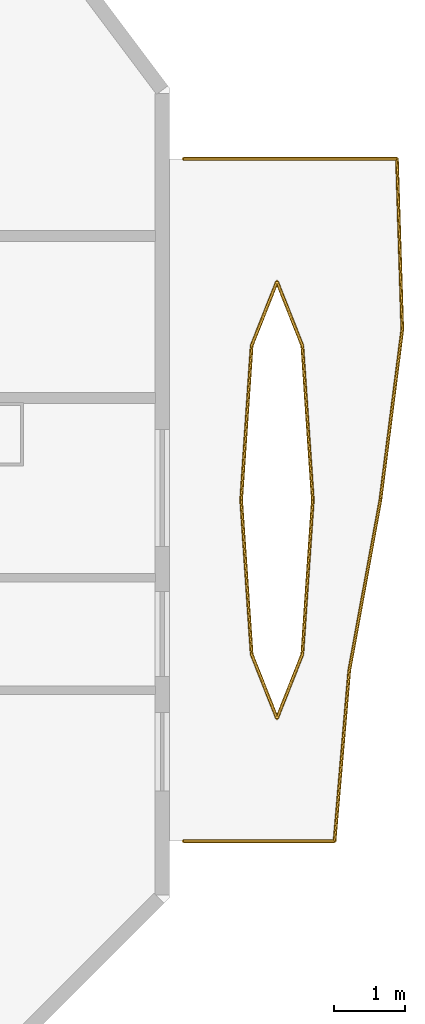
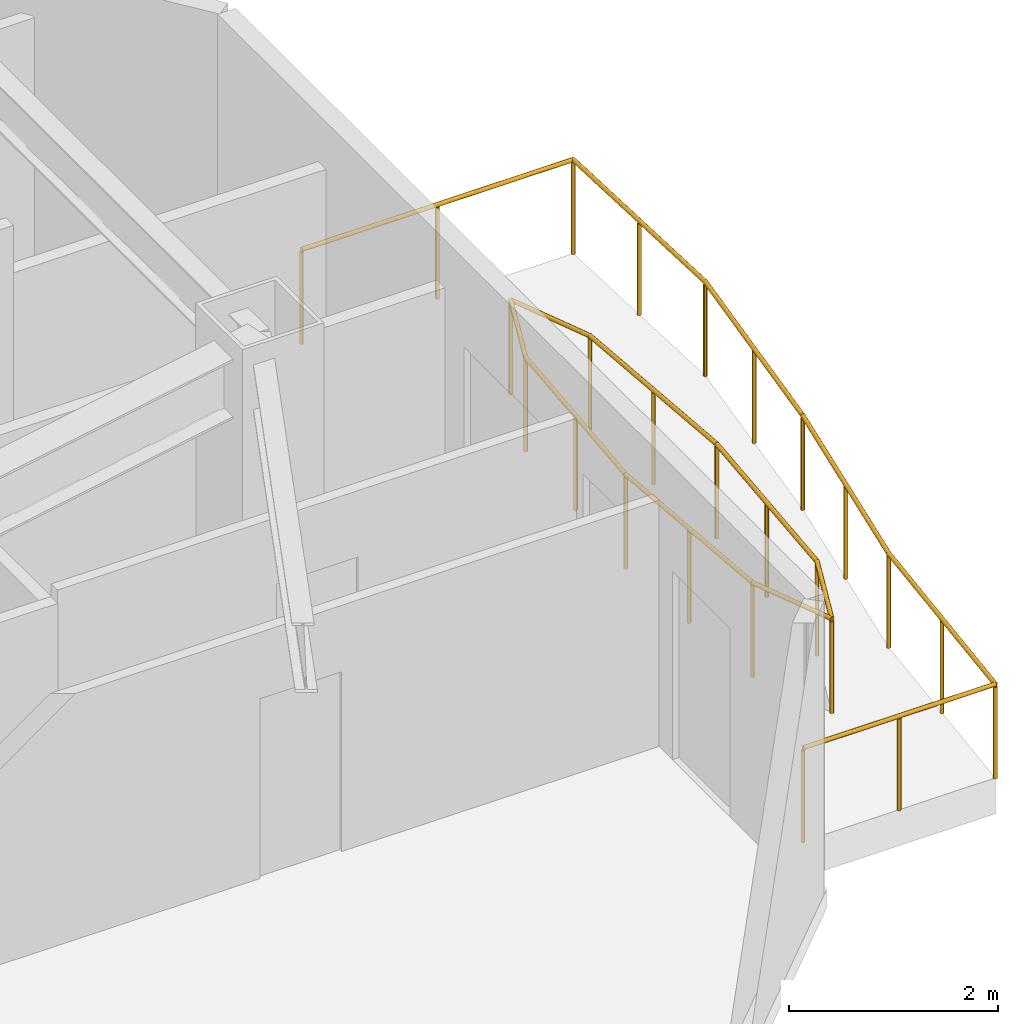
# One storey, part 16 of 16: 4 railings.
"""IFC4 building model written with IfcOpenShell, lengths in metres."""

import ifcopenshell
import ifcopenshell.guid

model = None  # the IFC model being written
_history = None  # IfcOwnerHistory: only IFC2X3 demands one
_inside = {}  # id of a spatial element -> (the spatial element, [elements in it])
_under = {}  # id of a project, library or spatial element -> (it, [spatial elements below it])
_declared = {}  # id of a project -> (the project, [libraries it declares])
_typed = {}  # id of a type object -> (the type object, [elements of that type])
_made_of = {}  # id of a material, layer set ... -> (it, [elements and type objects made of it])


def new_model(schema):
    """Start an empty IFC model of exactly this schema.

    Asked for "IFC4X3", IfcOpenShell would pick the latest addendum, in which some entities
    have other attributes; the version numbers below select the first issue.
    IFC2X3 requires an IfcOwnerHistory on every rooted entity: one is made here for all.
    """
    global model, _history
    if schema == "IFC4X3":
        model = ifcopenshell.file(schema_version=(4, 3, 0, 0))
    else:
        model = ifcopenshell.file(schema=schema)
    _inside.clear()
    _under.clear()
    _declared.clear()
    _typed.clear()
    _made_of.clear()
    _history = None
    if model.schema == "IFC2X3":
        org = make("IfcOrganization", Name="unknown")
        user = make(
            "IfcPersonAndOrganization",
            ThePerson=make("IfcPerson", FamilyName="unknown"),
            TheOrganization=org,
        )
        app = make(
            "IfcApplication",
            ApplicationDeveloper=org,
            Version="unknown",
            ApplicationFullName="unknown",
            ApplicationIdentifier="unknown",
        )
        _history = make(
            "IfcOwnerHistory",
            OwningUser=user,
            OwningApplication=app,
            ChangeAction="ADDED",
            CreationDate=0,
        )
    return model


def make(cls, **values):
    """One entity of the class cls with the attributes given. An attribute that is None is left unset."""
    return model.create_entity(
        cls, **{name: value for name, value in values.items() if value is not None}
    )


def rooted(cls, **values):
    """An entity with a GlobalId (a new one), such as an element, a storey or a relation."""
    return make(cls, GlobalId=ifcopenshell.guid.new(), OwnerHistory=_history, **values)


def si_unit(unit_type, name, prefix=None):
    """IfcSIUnit, for example si_unit("LENGTHUNIT", "METRE", prefix="MILLI")."""
    return make("IfcSIUnit", UnitType=unit_type, Prefix=prefix, Name=name)


def assignment(units):
    """IfcUnitAssignment: the units of a project."""
    return None if units is None else make("IfcUnitAssignment", Units=units)


def point(xyz):
    """IfcCartesianPoint."""
    return None if xyz is None else make("IfcCartesianPoint", Coordinates=xyz)


def direction(xyz):
    """IfcDirection."""
    return None if xyz is None else make("IfcDirection", DirectionRatios=xyz)


def frame(location, z_axis=None, x_axis=None):
    """IfcAxis2Placement3D, a coordinate frame: its origin and axes. An axis left out is left unset."""
    return make(
        "IfcAxis2Placement3D",
        Location=point(location),
        Axis=direction(z_axis),
        RefDirection=direction(x_axis),
    )


def frame_2d(location, x_axis=None):
    """IfcAxis2Placement2D, a coordinate frame in the plane: its origin and x axis."""
    return make(
        "IfcAxis2Placement2D", Location=point(location), RefDirection=direction(x_axis)
    )


def origin():
    """The frame at (0, 0, 0) with its axes left unset."""
    return frame((0.0, 0.0, 0.0))


def origin_2d():
    """The frame at (0, 0) in the plane with its x axis left unset."""
    return frame_2d((0.0, 0.0))


def place(relative_to, where):
    """IfcLocalPlacement: puts the frame where relative to a parent placement (None: the world)."""
    return make(
        "IfcLocalPlacement", PlacementRelTo=relative_to, RelativePlacement=where
    )


def context(
    kind, dimensions, precision=None, world=None, true_north=None, identifier=None
):
    """IfcGeometricRepresentationContext, for example the 3D "Model" context."""
    return make(
        "IfcGeometricRepresentationContext",
        ContextIdentifier=identifier,
        ContextType=kind,
        CoordinateSpaceDimension=dimensions,
        Precision=precision,
        WorldCoordinateSystem=world,
        TrueNorth=true_north,
    )


def subcontext(parent, identifier, kind, view, scale=None):
    """IfcGeometricRepresentationSubContext, for example "Body" below "Model"."""
    return make(
        "IfcGeometricRepresentationSubContext",
        ContextIdentifier=identifier,
        ContextType=kind,
        ParentContext=parent,
        TargetScale=scale,
        TargetView=view,
    )


def project(units=None, contexts=None):
    """IfcProject with its units and contexts."""
    return rooted(
        "IfcProject",
        Name="project",
        RepresentationContexts=contexts,
        UnitsInContext=assignment(units),
    )


def spatial(cls, under=None, at=None, **own):
    """A site, building, storey or space (cls), placed at a placement, below another one or the project."""
    s = rooted(cls, ObjectPlacement=at, **own)
    if under is not None:
        _under.setdefault(under.id(), (under, []))[1].append(s)
    return s


def profile(cls, at=None, kind="AREA", **sizes):
    """A parametric profile (cls). Its sizes go by their IFC names, for example OverallWidth=200.0."""
    return make(cls, ProfileType=kind, Position=at, **sizes)


def circle(**sizes):
    """IfcCircleProfileDef."""
    return profile("IfcCircleProfileDef", **sizes)


def extrude(swept, where, along, depth):
    """IfcExtrudedAreaSolid: the profile swept, set in the frame where, extruded along a direction by depth."""
    return make(
        "IfcExtrudedAreaSolid",
        SweptArea=swept,
        Position=where,
        ExtrudedDirection=direction(along),
        Depth=depth,
    )


def shape(context_of_items, identifier, shape_type, items):
    """IfcShapeRepresentation: the items that make up one representation, for example the "Body"."""
    return make(
        "IfcShapeRepresentation",
        ContextOfItems=context_of_items,
        RepresentationIdentifier=identifier,
        RepresentationType=shape_type,
        Items=items,
    )


def material(Name=None, Category=None):
    """IfcMaterial."""
    return make("IfcMaterial", Name=Name, Category=Category)


def made_of(thing, what):
    """Note that an element or type object is made of a material, layer set ...; save() writes the relation."""
    if what is not None:
        _made_of.setdefault(what.id(), (what, []))[1].append(thing)
    return thing


def type_object(cls, material=None, **own):
    """A type object (cls), such as IfcWallType, which elements share."""
    return made_of(rooted(cls, **own), material)


def element(
    cls,
    number,
    at=None,
    inside=None,
    cuts=None,
    type_object=None,
    material=None,
    context=None,
    identifier="Body",
    shape_type=None,
    held_by="IfcProductDefinitionShape",
    body=None,
    shapes=None,
    **own,
):
    """One element of the class cls, such as IfcWall. Its Tag is "e" and its number.

    at: its placement. inside: the storey or other place that contains it. cuts: it is an
    opening in that element (IfcRelVoidsElement). A single representation is given by context,
    identifier, shape_type and body (its items); several are given by shapes. held_by: the class
    of the entity that holds the representations. save() writes the other relations.
    """
    e = rooted(cls, Tag="e%d" % number, ObjectPlacement=at, **own)
    if body is not None:
        shapes = [shape(context, identifier, shape_type, body)]
    if shapes is not None:
        e.Representation = make(held_by, Representations=shapes)
    if inside is not None:
        _inside.setdefault(inside.id(), (inside, []))[1].append(e)
    if cuts is not None:
        rooted(
            "IfcRelVoidsElement", RelatingBuildingElement=cuts, RelatedOpeningElement=e
        )
    if type_object is not None:
        _typed.setdefault(type_object.id(), (type_object, []))[1].append(e)
    return made_of(e, material)


def aggregate(whole, parts):
    """IfcRelAggregates: a whole, such as a stair, and the parts it consists of."""
    return rooted("IfcRelAggregates", RelatingObject=whole, RelatedObjects=parts)


def save(model, path):
    """Write the relations noted so far, then the file.

    IfcRelAggregates (storeys below a building ...), IfcRelContainedInSpatialStructure (elements
    in a storey), IfcRelDefinesByType, IfcRelAssociatesMaterial and IfcRelDeclares: one each for
    every whole, place, type object, material and project.
    """
    for whole, parts in _under.values():
        aggregate(whole, parts)
    for where, things in _inside.values():
        rooted(
            "IfcRelContainedInSpatialStructure",
            RelatedElements=things,
            RelatingStructure=where,
        )
    for kind, things in _typed.values():
        rooted("IfcRelDefinesByType", RelatedObjects=things, RelatingType=kind)
    for what, things in _made_of.values():
        rooted("IfcRelAssociatesMaterial", RelatedObjects=things, RelatingMaterial=what)
    for by, libraries in _declared.values():
        rooted("IfcRelDeclares", RelatingContext=by, RelatedDefinitions=libraries)
    model.write(path)


model = new_model("IFC4")

# Units and contexts
model_context = context("Model", 3, precision=1e-05, world=origin(), true_north=direction((0.0, 1.0)))
body_context = subcontext(model_context, "Body", "Model", "MODEL_VIEW")
ifc_project = project(units=[si_unit("LENGTHUNIT", "METRE"), si_unit("AREAUNIT", "SQUARE_METRE"), si_unit("VOLUMEUNIT", "CUBIC_METRE"), si_unit("PLANEANGLEUNIT", "RADIAN"), si_unit("MASSUNIT", "GRAM", prefix="KILO")], contexts=[model_context])

# Site, building, storey
site_placement = place(None, origin())
site = spatial("IfcSite", under=ifc_project, at=site_placement, CompositionType="ELEMENT")
building_placement = place(site_placement, origin())
building = spatial("IfcBuilding", under=site, at=building_placement, Name="Khamvora Tower", CompositionType="ELEMENT")
storey_placement = place(building_placement, frame((0.0, 0.0, 170.5)))
storey = spatial("IfcBuildingStorey", under=building, at=storey_placement, Name="L43", CompositionType="ELEMENT", Elevation=170.5)

# Railings
ifc_material = material(Name="Stainless Steel 316 and Laminated Glass", Category="steel")
railing_type = type_object("IfcRailingType", Name="RAL-GAL-1120", PredefinedType="GUARDRAIL", material=ifc_material)
railing_1_placement = place(storey_placement, frame((63.39990234375, 14.199951171875, 0.0)))
element("IfcRailing", 1, at=railing_1_placement, inside=storey, type_object=railing_type, Name="L43 lens gallery south perimeter guardrail EL1", PredefinedType="GUARDRAIL", context=body_context, shape_type="SweptSolid", body=[
    extrude(circle(Radius=0.02392578125, at=origin_2d()), frame((0.0, 0.0, 1.09619140625), z_axis=(1.0, 0.0, 0.0), x_axis=(0.0, 1.0, 0.0)), (0.0, 0.0, 1.0), 2.125),
    extrude(circle(Radius=0.02392578125, at=origin_2d()), frame((2.125, 0.0, 1.09619140625), z_axis=(0.085938639618, 0.996300431707, 0.0), x_axis=(-0.996300431707, 0.085938639618, 0.0)), (0.0, 0.0, 1.0), 2.4091796875),
    extrude(circle(Radius=0.02392578125, at=origin_2d()), frame((2.33203125, 2.400146484375, 1.09619140625), z_axis=(0.179537096601, 0.983751203783, 0.0), x_axis=(-0.983751203783, 0.179537096601, 0.0)), (0.0, 0.0, 1.0), 2.439453125),
    extrude(circle(Radius=0.02099609375, at=origin_2d()), origin(), (0.0, 0.0, 1.0), 1.072021484375),
    extrude(circle(Radius=0.02099609375, at=origin_2d()), frame((1.0625, 0.0, 0.0)), (0.0, 0.0, 1.0), 1.072021484375),
    extrude(circle(Radius=0.02099609375, at=origin_2d()), frame((2.125, 0.0, 0.0)), (0.0, 0.0, 1.0), 1.072021484375),
    extrude(circle(Radius=0.02099609375, at=origin_2d()), frame((2.228515625, 1.2001953125, 0.0)), (0.0, 0.0, 1.0), 1.072021484375),
    extrude(circle(Radius=0.02099609375, at=origin_2d()), frame((2.33203125, 2.400146484375, 0.0)), (0.0, 0.0, 1.0), 1.072021484375),
    extrude(circle(Radius=0.02099609375, at=origin_2d()), frame((2.551025390625, 3.60009765625, 0.0)), (0.0, 0.0, 1.0), 1.072021484375),
    extrude(circle(Radius=0.02099609375, at=origin_2d()), frame((2.77001953125, 4.800048828125, 0.0)), (0.0, 0.0, 1.0), 1.072021484375),
])
railing_2_placement = place(storey_placement, frame((66.169921875, 19.0, 0.0)))
element("IfcRailing", 2, at=railing_2_placement, inside=storey, type_object=railing_type, Name="L43 lens gallery north perimeter guardrail EL1", PredefinedType="GUARDRAIL", context=body_context, shape_type="SweptSolid", body=[
    extrude(circle(Radius=0.02392578125, at=origin_2d()), frame((0.0, 0.0, 1.09619140625), z_axis=(0.127337399535, 0.991859459137, 0.0), x_axis=(-0.991859459137, 0.127337399535, 0.0)), (0.0, 0.0, 1.0), 2.419677734375),
    extrude(circle(Radius=0.02392578125, at=origin_2d()), frame((0.30810546875, 2.39990234375, 1.09619140625), z_axis=(-0.031212533867, 0.999512770168, 0.0), x_axis=(-0.999512770168, -0.031212533867, 0.0)), (0.0, 0.0, 1.0), 2.4013671875),
    extrude(circle(Radius=0.02392578125, at=origin_2d()), frame((0.233154296875, 4.800048828125, 1.09619140625), z_axis=(-1.0, 0.0, 0.0), x_axis=(0.0, -1.0, 0.0)), (0.0, 0.0, 1.0), 3.003173828125),
    extrude(circle(Radius=0.02099609375, at=origin_2d()), origin(), (0.0, 0.0, 1.0), 1.072021484375),
    extrude(circle(Radius=0.02099609375, at=origin_2d()), frame((0.154052734375, 1.199951171875, 0.0)), (0.0, 0.0, 1.0), 1.072021484375),
    extrude(circle(Radius=0.02099609375, at=origin_2d()), frame((0.30810546875, 2.39990234375, 0.0)), (0.0, 0.0, 1.0), 1.072021484375),
    extrude(circle(Radius=0.02099609375, at=origin_2d()), frame((0.2705078125, 3.60009765625, 0.0)), (0.0, 0.0, 1.0), 1.072021484375),
    extrude(circle(Radius=0.02099609375, at=origin_2d()), frame((0.233154296875, 4.800048828125, 0.0)), (0.0, 0.0, 1.0), 1.072021484375),
    extrude(circle(Radius=0.02099609375, at=origin_2d()), frame((-1.2685546875, 4.800048828125, 0.0)), (0.0, 0.0, 1.0), 1.072021484375),
    extrude(circle(Radius=0.02099609375, at=origin_2d()), frame((-2.77001953125, 4.800048828125, 0.0)), (0.0, 0.0, 1.0), 1.072021484375),
])
railing_3_placement = place(storey_placement, frame((65.218994140625, 19.0, 0.0)))
element("IfcRailing", 3, at=railing_3_placement, inside=storey, type_object=railing_type, Name="L43 lens gallery void guardrail EL1A", PredefinedType="GUARDRAIL", context=body_context, shape_type="SweptSolid", body=[
    extrude(circle(Radius=0.02392578125, at=origin_2d()), frame((0.0, 0.0, 1.09619140625), z_axis=(-0.067955394668, 0.997688360329, 0.0), x_axis=(-0.997688360329, -0.067955394668, 0.0)), (0.0, 0.0, 1.0), 2.17724609375),
    extrude(circle(Radius=0.02392578125, at=origin_2d()), frame((-0.14794921875, 2.172119140625, 1.09619140625), z_axis=(-0.367821247872, 0.92989651554, 0.0), x_axis=(-0.92989651554, -0.367821247872, 0.0)), (0.0, 0.0, 1.0), 0.9677734375),
    extrude(circle(Radius=0.02392578125, at=origin_2d()), frame((-0.50390625, 3.072021484375, 1.09619140625), z_axis=(-0.368039364147, -0.929810209902, 0.0), x_axis=(0.929810209902, -0.368039364147, 0.0)), (0.0, 0.0, 1.0), 0.9677734375),
    extrude(circle(Radius=0.02392578125, at=origin_2d()), frame((-0.860107421875, 2.172119140625, 1.09619140625), z_axis=(-0.067955394668, -0.997688360329, 0.0), x_axis=(0.997688360329, -0.067955394668, 0.0)), (0.0, 0.0, 1.0), 2.17724609375),
    extrude(circle(Radius=0.02099609375, at=origin_2d()), origin(), (0.0, 0.0, 1.0), 1.072021484375),
    extrude(circle(Radius=0.02099609375, at=origin_2d()), frame((-0.073974609375, 1.0859375, 0.0)), (0.0, 0.0, 1.0), 1.072021484375),
    extrude(circle(Radius=0.02099609375, at=origin_2d()), frame((-0.14794921875, 2.172119140625, 0.0)), (0.0, 0.0, 1.0), 1.072021484375),
    extrude(circle(Radius=0.02099609375, at=origin_2d()), frame((-0.50390625, 3.072021484375, 0.0)), (0.0, 0.0, 1.0), 1.072021484375),
    extrude(circle(Radius=0.02099609375, at=origin_2d()), frame((-0.860107421875, 2.172119140625, 0.0)), (0.0, 0.0, 1.0), 1.072021484375),
    extrude(circle(Radius=0.02099609375, at=origin_2d()), frame((-0.93408203125, 1.0859375, 0.0)), (0.0, 0.0, 1.0), 1.072021484375),
    extrude(circle(Radius=0.02099609375, at=origin_2d()), frame((-1.008056640625, 0.0, 0.0)), (0.0, 0.0, 1.0), 1.072021484375),
])
railing_4_placement = place(storey_placement, frame((64.2109375, 19.0, 0.0)))
element("IfcRailing", 4, at=railing_4_placement, inside=storey, type_object=railing_type, Name="L43 lens gallery void guardrail EL1B", PredefinedType="GUARDRAIL", context=body_context, shape_type="SweptSolid", body=[
    extrude(circle(Radius=0.02392578125, at=origin_2d()), frame((0.0, 0.0, 1.09619140625), z_axis=(0.067955394668, -0.997688360329, 0.0), x_axis=(0.997688360329, 0.067955394668, 0.0)), (0.0, 0.0, 1.0), 2.17724609375),
    extrude(circle(Radius=0.02392578125, at=origin_2d()), frame((0.14794921875, -2.172119140625, 1.09619140625), z_axis=(0.368039364147, -0.929810209902, 0.0), x_axis=(0.929810209902, 0.368039364147, 0.0)), (0.0, 0.0, 1.0), 0.9677734375),
    extrude(circle(Radius=0.02392578125, at=origin_2d()), frame((0.504150390625, -3.072021484375, 1.09619140625), z_axis=(0.367821247872, 0.92989651554, 0.0), x_axis=(-0.92989651554, 0.367821247872, 0.0)), (0.0, 0.0, 1.0), 0.9677734375),
    extrude(circle(Radius=0.02392578125, at=origin_2d()), frame((0.860107421875, -2.172119140625, 1.09619140625), z_axis=(0.067955394668, 0.997688360329, 0.0), x_axis=(-0.997688360329, 0.067955394668, 0.0)), (0.0, 0.0, 1.0), 2.17724609375),
    extrude(circle(Radius=0.02099609375, at=origin_2d()), origin(), (0.0, 0.0, 1.0), 1.072021484375),
    extrude(circle(Radius=0.02099609375, at=origin_2d()), frame((0.073974609375, -1.0859375, 0.0)), (0.0, 0.0, 1.0), 1.072021484375),
    extrude(circle(Radius=0.02099609375, at=origin_2d()), frame((0.14794921875, -2.172119140625, 0.0)), (0.0, 0.0, 1.0), 1.072021484375),
    extrude(circle(Radius=0.02099609375, at=origin_2d()), frame((0.504150390625, -3.072021484375, 0.0)), (0.0, 0.0, 1.0), 1.072021484375),
    extrude(circle(Radius=0.02099609375, at=origin_2d()), frame((0.860107421875, -2.172119140625, 0.0)), (0.0, 0.0, 1.0), 1.072021484375),
    extrude(circle(Radius=0.02099609375, at=origin_2d()), frame((0.93408203125, -1.0859375, 0.0)), (0.0, 0.0, 1.0), 1.072021484375),
    extrude(circle(Radius=0.02099609375, at=origin_2d()), frame((1.008056640625, 0.0, 0.0)), (0.0, 0.0, 1.0), 1.072021484375),
])

save(model, "model.ifc")
